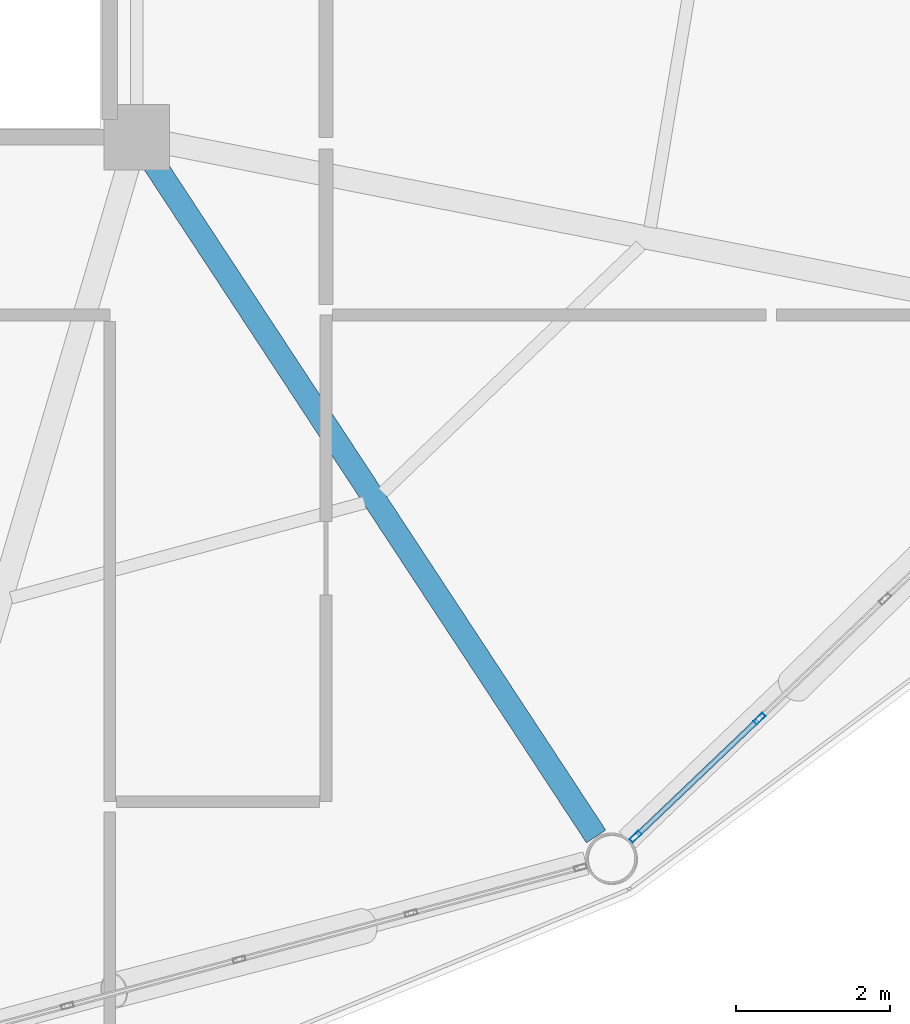
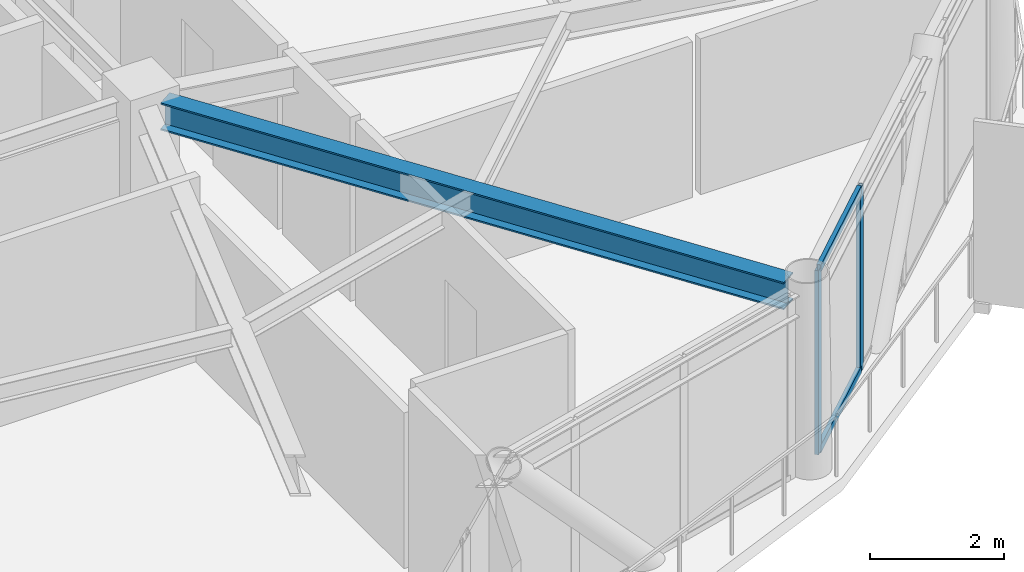
# One storey, part 9 of 28: 4 members, 1 beam, 1 element without a shape of its own.
"""IFC4 building model written with IfcOpenShell, lengths in metres."""

from ifc_helpers import new_model, si_unit, direction, frame, origin, origin_2d, place, context, subcontext, project, spatial, hollow_rectangle, i_section, extrude, material, layer, layer_set, material_profile, profile_set, type_object, element, aggregate, save


model = new_model("IFC4")

# Units and contexts
model_context = context("Model", 3, precision=1e-05, world=origin(), true_north=direction((0.0, 1.0)))
body_context = subcontext(model_context, "Body", "Model", "MODEL_VIEW")
ifc_project = project(units=[si_unit("LENGTHUNIT", "METRE"), si_unit("AREAUNIT", "SQUARE_METRE"), si_unit("VOLUMEUNIT", "CUBIC_METRE"), si_unit("PLANEANGLEUNIT", "RADIAN"), si_unit("MASSUNIT", "GRAM", prefix="KILO")], contexts=[model_context])

# Site, building, storey
site_placement = place(None, origin())
site = spatial("IfcSite", under=ifc_project, at=site_placement, CompositionType="ELEMENT")
building_placement = place(site_placement, origin())
building = spatial("IfcBuilding", under=site, at=building_placement, Name="Varnakorn Sky Granary", CompositionType="ELEMENT")
storey_placement = place(building_placement, frame((0.0, 0.0, 196.800048828125)))
storey = spatial("IfcBuildingStorey", under=building, at=storey_placement, Name="L49", CompositionType="ELEMENT", Elevation=196.800048828125)

# Beam
ifc_material_1 = material(Name="Steel S355JR", Category="steel")
ifc_material_profile_1 = material_profile(ifc_material_1, i_section(OverallWidth=0.300048828125, OverallDepth=0.5, WebThickness=0.014404296875, FlangeThickness=0.028076171875, at=origin_2d()), Name="HE 500 B")
ifc_profile_set_1 = profile_set([ifc_material_profile_1], Name="Steel S355JR")
beam_type = type_object("IfcBeamType", Name="BM-RAD-Z4", PredefinedType="BEAM", material=ifc_profile_set_1)
beam_placement = place(storey_placement, frame((8.572509765625, -6.9384765625, 3.10986328125), z_axis=(0.54908957548, -0.835763506082, 0.0), x_axis=(0.835763506082, 0.54908957548, 0.0)))
element("IfcBeam", 1, at=beam_placement, inside=storey, type_object=beam_type, Name="Radial Floor Girder RG11 L49", PredefinedType="BEAM", context=body_context, shape_type="SweptSolid", body=[
    extrude(i_section(OverallWidth=0.300048828125, OverallDepth=0.5, WebThickness=0.014404296875, FlangeThickness=0.028076171875, at=origin_2d()), origin(), (0.0, 0.0, 1.0), 10.426513671875),
])

# Curtain wall, members
ifc_material_2 = material(Name="Anodised Bronze Aluminium Alloy 6063-T6", Category="aluminium")
ifc_layer = layer(ifc_material_2, 0.169921875, Name="Anodised Bronze Aluminium Alloy 6063-T6")
ifc_layer_set = layer_set([ifc_layer], Name="Anodised Bronze Aluminium Alloy 6063-T6")
curtain_wall_type = type_object("IfcCurtainWallType", Name="CW-LAB-1", PredefinedType="USERDEFINED", material=ifc_layer_set)
curtain_wall_placement = place(storey_placement, origin())
curtain_wall = element("IfcCurtainWall", 2, at=curtain_wall_placement, inside=storey, type_object=curtain_wall_type, Name="Unitised Curtain Wall CW5 CW-L49-B11", ObjectType="CURTAIN WALL", PredefinedType="USERDEFINED")
ifc_material_profile_2 = material_profile(ifc_material_2, hollow_rectangle(XDim=0.06494140625, YDim=0.159912109375, WallThickness=0.00341796875, at=origin_2d()), Name="ALU MULL 65x160")
ifc_profile_set_2 = profile_set([ifc_material_profile_2], Name="Anodised Bronze Aluminium Alloy 6063-T6")
member_type_1 = type_object("IfcMemberType", Name="CW-LAB-1-MULL", PredefinedType="MULLION", material=ifc_profile_set_2)
member_1_placement = place(storey_placement, frame((16.41259765625, -14.1259765625, 0.0), z_axis=(0.0, 0.0, 1.0), x_axis=(0.690097158605, -0.723716734424, 0.0)))
member_1 = element("IfcMember", 3, at=member_1_placement, type_object=member_type_1, Name="CW5 mullion 4", PredefinedType="MULLION", context=body_context, shape_type="SweptSolid", body=[
    extrude(hollow_rectangle(XDim=0.06494140625, YDim=0.159912109375, WallThickness=0.00341796875, at=origin_2d()), origin(), (0.0, 0.0, 1.0), 3.35986328125),
])
member_2_placement = place(storey_placement, frame((14.810302734375, -15.65380859375, 0.0), z_axis=(0.0, 0.0, 1.0), x_axis=(0.690097158605, -0.723716734424, 0.0)))
member_2 = element("IfcMember", 4, at=member_2_placement, type_object=member_type_1, Name="CW5 mullion 5", PredefinedType="MULLION", context=body_context, shape_type="SweptSolid", body=[
    extrude(hollow_rectangle(XDim=0.06494140625, YDim=0.159912109375, WallThickness=0.00341796875, at=origin_2d()), origin(), (0.0, 0.0, 1.0), 3.35986328125),
])
ifc_material_profile_3 = material_profile(ifc_material_2, hollow_rectangle(XDim=0.070068359375, YDim=0.139892578125, WallThickness=0.00341796875, at=origin_2d()), Name="ALU TRAN 70x140")
ifc_profile_set_3 = profile_set([ifc_material_profile_3], Name="Anodised Bronze Aluminium Alloy 6063-T6")
member_type_2 = type_object("IfcMemberType", Name="CW-LAB-1-TRAN", PredefinedType="USERDEFINED", material=ifc_profile_set_3)
member_3_placement = place(storey_placement, frame((16.388916015625, -14.1484375, 0.034912109375), z_axis=(-0.723721709612, -0.690091941002, 0.0), x_axis=(0.690091941002, -0.723721709612, 0.0)))
member_3 = element("IfcMember", 5, at=member_3_placement, type_object=member_type_2, Name="CW5 transom 4.1", ObjectType="TRANSOM", PredefinedType="USERDEFINED", context=body_context, shape_type="SweptSolid", body=[
    extrude(hollow_rectangle(XDim=0.070068359375, YDim=0.139892578125, WallThickness=0.00341796875, at=origin_2d()), origin(), (0.0, 0.0, 1.0), 2.14892578125),
])
member_4_placement = place(storey_placement, frame((16.388916015625, -14.1484375, 3.324951171875), z_axis=(-0.723721709612, -0.690091941002, 0.0), x_axis=(0.690091941002, -0.723721709612, 0.0)))
member_4 = element("IfcMember", 6, at=member_4_placement, type_object=member_type_2, Name="CW5 transom 4.2", ObjectType="TRANSOM", PredefinedType="USERDEFINED", context=body_context, shape_type="SweptSolid", body=[
    extrude(hollow_rectangle(XDim=0.070068359375, YDim=0.139892578125, WallThickness=0.00341796875, at=origin_2d()), origin(), (0.0, 0.0, 1.0), 2.14892578125),
])
aggregate(curtain_wall, [member_1, member_2, member_3, member_4])

save(model, "model.ifc")
